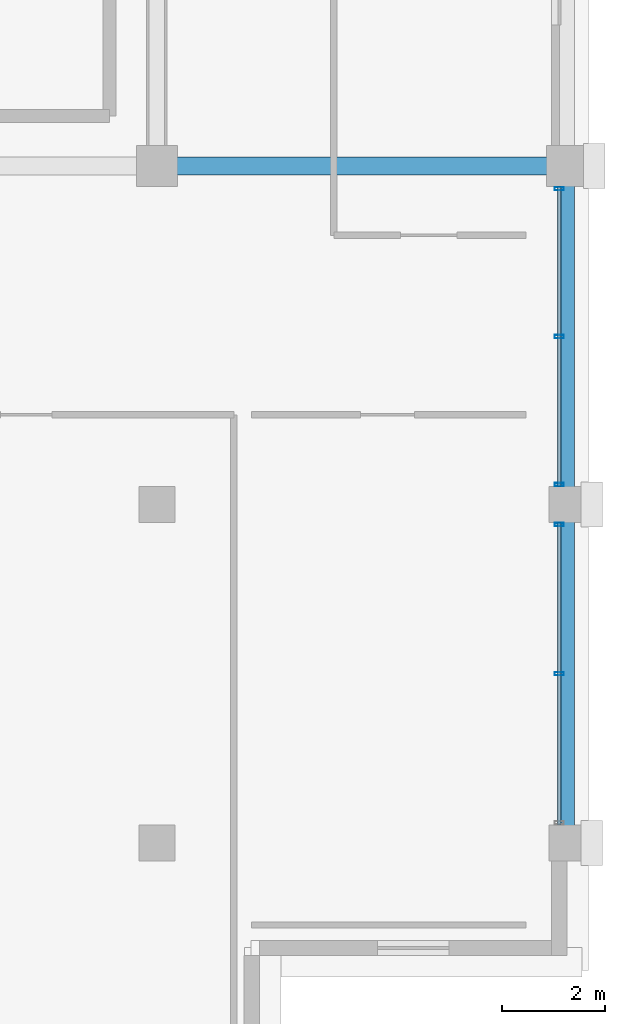
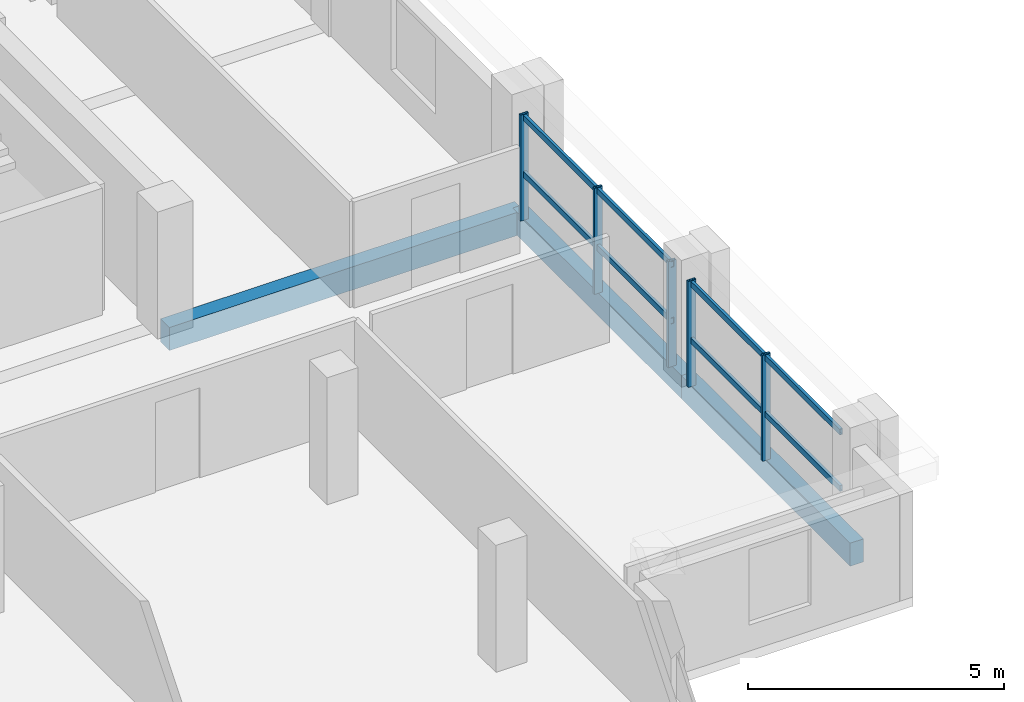
# One storey, part 9 of 21: 9 members, 3 beams, 2 elements without a shape of their own.
"""IFC4 building model written with IfcOpenShell, lengths in metres."""

from ifc_helpers import new_model, si_unit, direction, frame, origin, origin_2d, place, context, subcontext, project, spatial, rectangle, hollow_rectangle, extrude, material, material_profile, profile_set, type_object, element, aggregate, save


model = new_model("IFC4")

# Units and contexts
model_context = context("Model", 3, precision=1e-05, world=origin(), true_north=direction((0.0, 1.0)))
body_context = subcontext(model_context, "Body", "Model", "MODEL_VIEW")
ifc_project = project(units=[si_unit("LENGTHUNIT", "METRE"), si_unit("AREAUNIT", "SQUARE_METRE"), si_unit("VOLUMEUNIT", "CUBIC_METRE"), si_unit("PLANEANGLEUNIT", "RADIAN"), si_unit("MASSUNIT", "GRAM", prefix="KILO")], contexts=[model_context])

# Site, building, storey
site_placement = place(None, origin())
site = spatial("IfcSite", under=ifc_project, at=site_placement, CompositionType="ELEMENT")
building_placement = place(site_placement, origin())
building = spatial("IfcBuilding", under=site, at=building_placement, Name="Akrevak Sports Hall", CompositionType="ELEMENT")
storey_placement = place(building_placement, frame((0.0, 0.0, 53.550048828125)))
storey = spatial("IfcBuildingStorey", under=building, at=storey_placement, Name="L13", CompositionType="ELEMENT", Elevation=53.550048828125)

# Curtain wall, members
ifc_material_1 = material(Name="Anodized Bronze Aluminium & Low-E Glass", Category="aluminium")
curtain_wall_type = type_object("IfcCurtainWallType", Name="ARC-CW-TWR-68x30", PredefinedType="NOTDEFINED", material=ifc_material_1)
curtain_wall_1_placement = place(storey_placement, origin())
curtain_wall_1 = element("IfcCurtainWall", 1, at=curtain_wall_1_placement, inside=storey, type_object=curtain_wall_type, Name="Curtain Wall CW-L13-E11", PredefinedType="NOTDEFINED")
ifc_material_2 = material(Name="Anodized Bronze Aluminium", Category="aluminium")
ifc_material_profile_1 = material_profile(ifc_material_2, hollow_rectangle(XDim=0.06494140625, YDim=0.179931640625, WallThickness=0.00390625, at=origin_2d()), Name="CWM 65x180", Category="aluminium")
ifc_profile_set_1 = profile_set([ifc_material_profile_1], Name="Anodized Bronze Aluminium")
member_type_1 = type_object("IfcMemberType", Name="ARC-CWM-65x140", PredefinedType="MULLION", material=ifc_profile_set_1)
member_1_placement = place(storey_placement, frame((107.85009765625, 45.300048828125, 0.0), z_axis=(0.0, 0.0, 1.0), x_axis=(0.0, 1.0, 0.0)))
member_1 = element("IfcMember", 2, at=member_1_placement, type_object=member_type_1, Name="Curtain Wall Mullion CW-L13-E11-M2", PredefinedType="MULLION", context=body_context, shape_type="SweptSolid", body=[
    extrude(hollow_rectangle(XDim=0.06494140625, YDim=0.179931640625, WallThickness=0.00390625, at=origin_2d()), origin(), (0.0, 0.0, 1.0), 2.530029296875),
])
member_2_placement = place(storey_placement, frame((107.85009765625, 48.2099609375, 0.0), z_axis=(0.0, 0.0, 1.0), x_axis=(0.0, 1.0, 0.0)))
member_2 = element("IfcMember", 3, at=member_2_placement, type_object=member_type_1, Name="Curtain Wall Mullion CW-L13-E11-M3", PredefinedType="MULLION", context=body_context, shape_type="SweptSolid", body=[
    extrude(hollow_rectangle(XDim=0.06494140625, YDim=0.179931640625, WallThickness=0.00390625, at=origin_2d()), origin(), (0.0, 0.0, 1.0), 2.530029296875),
])

curtain_wall_2_placement = place(storey_placement, origin())
curtain_wall_2 = element("IfcCurtainWall", 4, at=curtain_wall_2_placement, inside=storey, type_object=curtain_wall_type, Name="Curtain Wall CW-L13-E12", PredefinedType="NOTDEFINED")
member_3_placement = place(storey_placement, frame((107.85009765625, 48.989990234375, 0.0), z_axis=(0.0, 0.0, 1.0), x_axis=(0.0, 1.0, 0.0)))
member_3 = element("IfcMember", 5, at=member_3_placement, type_object=member_type_1, Name="Curtain Wall Mullion CW-L13-E12-M1", PredefinedType="MULLION", context=body_context, shape_type="SweptSolid", body=[
    extrude(hollow_rectangle(XDim=0.06494140625, YDim=0.179931640625, WallThickness=0.00390625, at=origin_2d()), origin(), (0.0, 0.0, 1.0), 2.530029296875),
])
member_4_placement = place(storey_placement, frame((107.85009765625, 51.875, 0.0), z_axis=(0.0, 0.0, 1.0), x_axis=(0.0, 1.0, 0.0)))
member_4 = element("IfcMember", 6, at=member_4_placement, type_object=member_type_1, Name="Curtain Wall Mullion CW-L13-E12-M2", PredefinedType="MULLION", context=body_context, shape_type="SweptSolid", body=[
    extrude(hollow_rectangle(XDim=0.06494140625, YDim=0.179931640625, WallThickness=0.00390625, at=origin_2d()), origin(), (0.0, 0.0, 1.0), 2.530029296875),
])
member_5_placement = place(storey_placement, frame((107.85009765625, 54.760009765625, 0.0), z_axis=(0.0, 0.0, 1.0), x_axis=(0.0, 1.0, 0.0)))
member_5 = element("IfcMember", 7, at=member_5_placement, type_object=member_type_1, Name="Curtain Wall Mullion CW-L13-E12-M3", PredefinedType="MULLION", context=body_context, shape_type="SweptSolid", body=[
    extrude(hollow_rectangle(XDim=0.06494140625, YDim=0.179931640625, WallThickness=0.00390625, at=origin_2d()), origin(), (0.0, 0.0, 1.0), 2.530029296875),
])

# Member
ifc_material_profile_2 = material_profile(ifc_material_2, hollow_rectangle(XDim=0.06494140625, YDim=0.139892578125, WallThickness=0.00390625, at=origin_2d()), Name="CWT 65x140", Category="aluminium")
ifc_profile_set_2 = profile_set([ifc_material_profile_2], Name="Anodized Bronze Aluminium")
member_type_2 = type_object("IfcMemberType", Name="ARC-CWT-65x110", PredefinedType="USERDEFINED", material=ifc_profile_set_2)
member_6_placement = place(storey_placement, frame((107.85009765625, 42.35009765625, 1.099853515625), z_axis=(0.0, 1.0, 0.0), x_axis=(-1.0, 0.0, 0.0)))
member_6 = element("IfcMember", 8, at=member_6_placement, type_object=member_type_2, Name="Curtain Wall Transom CW-L13-E11-T1", ObjectType="TRANSOM", PredefinedType="USERDEFINED", context=body_context, shape_type="SweptSolid", body=[
    extrude(hollow_rectangle(XDim=0.06494140625, YDim=0.139892578125, WallThickness=0.00390625, at=origin_2d()), origin(), (0.0, 0.0, 1.0), 5.89990234375),
])

member_7_placement = place(storey_placement, frame((107.85009765625, 42.35009765625, 2.449951171875), z_axis=(0.0, 1.0, 0.0), x_axis=(-1.0, 0.0, 0.0)))
member_7 = element("IfcMember", 9, at=member_7_placement, type_object=member_type_2, Name="Curtain Wall Transom CW-L13-E11-T2", ObjectType="TRANSOM", PredefinedType="USERDEFINED", context=body_context, shape_type="SweptSolid", body=[
    extrude(hollow_rectangle(XDim=0.06494140625, YDim=0.139892578125, WallThickness=0.00390625, at=origin_2d()), origin(), (0.0, 0.0, 1.0), 5.89990234375),
])

aggregate(curtain_wall_1, [member_1, member_2, member_6, member_7])

member_8_placement = place(storey_placement, frame((107.85009765625, 48.949951171875, 1.099853515625), z_axis=(0.0, 1.0, 0.0), x_axis=(-1.0, 0.0, 0.0)))
member_8 = element("IfcMember", 10, at=member_8_placement, type_object=member_type_2, Name="Curtain Wall Transom CW-L13-E12-T1", ObjectType="TRANSOM", PredefinedType="USERDEFINED", context=body_context, shape_type="SweptSolid", body=[
    extrude(hollow_rectangle(XDim=0.06494140625, YDim=0.139892578125, WallThickness=0.00390625, at=origin_2d()), origin(), (0.0, 0.0, 1.0), 5.85009765625),
])

member_9_placement = place(storey_placement, frame((107.85009765625, 48.949951171875, 2.449951171875), z_axis=(0.0, 1.0, 0.0), x_axis=(-1.0, 0.0, 0.0)))
member_9 = element("IfcMember", 11, at=member_9_placement, type_object=member_type_2, Name="Curtain Wall Transom CW-L13-E12-T2", ObjectType="TRANSOM", PredefinedType="USERDEFINED", context=body_context, shape_type="SweptSolid", body=[
    extrude(hollow_rectangle(XDim=0.06494140625, YDim=0.139892578125, WallThickness=0.00390625, at=origin_2d()), origin(), (0.0, 0.0, 1.0), 5.85009765625),
])

aggregate(curtain_wall_2, [member_3, member_4, member_5, member_8, member_9])

# Beams
ifc_material_3 = material(Name="Concrete C40/50", Category="concrete")
ifc_material_profile_3 = material_profile(ifc_material_3, rectangle(XDim=0.300048828125, YDim=0.550048828125, at=origin_2d()), Name="BM 300x550", Category="concrete")
ifc_profile_set_3 = profile_set([ifc_material_profile_3], Name="Concrete C40/50")
beam_type_1 = type_object("IfcBeamType", Name="STR-BM-RC300x550", PredefinedType="BEAM", material=ifc_profile_set_3)
beam_1_placement = place(storey_placement, frame((108.0, 42.0, -0.275146484375), z_axis=(0.0, 1.0, 0.0), x_axis=(-1.0, 0.0, 0.0)))
element("IfcBeam", 12, at=beam_1_placement, inside=storey, type_object=beam_type_1, Name="Girder 15/G-H (L13)", PredefinedType="BEAM", context=body_context, shape_type="SweptSolid", body=[
    extrude(rectangle(XDim=0.300048828125, YDim=0.550048828125, at=origin_2d()), origin(), (0.0, 0.0, 1.0), 6.60009765625),
])
beam_2_placement = place(storey_placement, frame((108.0, 48.60009765625, -0.275146484375), z_axis=(0.0, 1.0, 0.0), x_axis=(-1.0, 0.0, 0.0)))
element("IfcBeam", 13, at=beam_2_placement, inside=storey, type_object=beam_type_1, Name="Girder 15/H-I (L13)", PredefinedType="BEAM", context=body_context, shape_type="SweptSolid", body=[
    extrude(rectangle(XDim=0.300048828125, YDim=0.550048828125, at=origin_2d()), origin(), (0.0, 0.0, 1.0), 6.599853515625),
])
ifc_material_profile_4 = material_profile(ifc_material_3, rectangle(XDim=0.35009765625, YDim=0.550048828125, at=origin_2d()), Name="BM 350x550", Category="concrete")
ifc_profile_set_4 = profile_set([ifc_material_profile_4], Name="Concrete C40/50")
beam_type_2 = type_object("IfcBeamType", Name="STR-BM-RC350x550", PredefinedType="BEAM", material=ifc_profile_set_4)
beam_3_placement = place(storey_placement, frame((100.0, 55.199951171875, -0.275146484375), z_axis=(1.0, 0.0, 0.0), x_axis=(0.0, 1.0, 0.0)))
element("IfcBeam", 14, at=beam_3_placement, inside=storey, type_object=beam_type_2, Name="Girder I/14-15 (L13)", PredefinedType="BEAM", context=body_context, shape_type="SweptSolid", body=[
    extrude(rectangle(XDim=0.35009765625, YDim=0.550048828125, at=origin_2d()), origin(), (0.0, 0.0, 1.0), 8.0),
])

save(model, "model.ifc")
